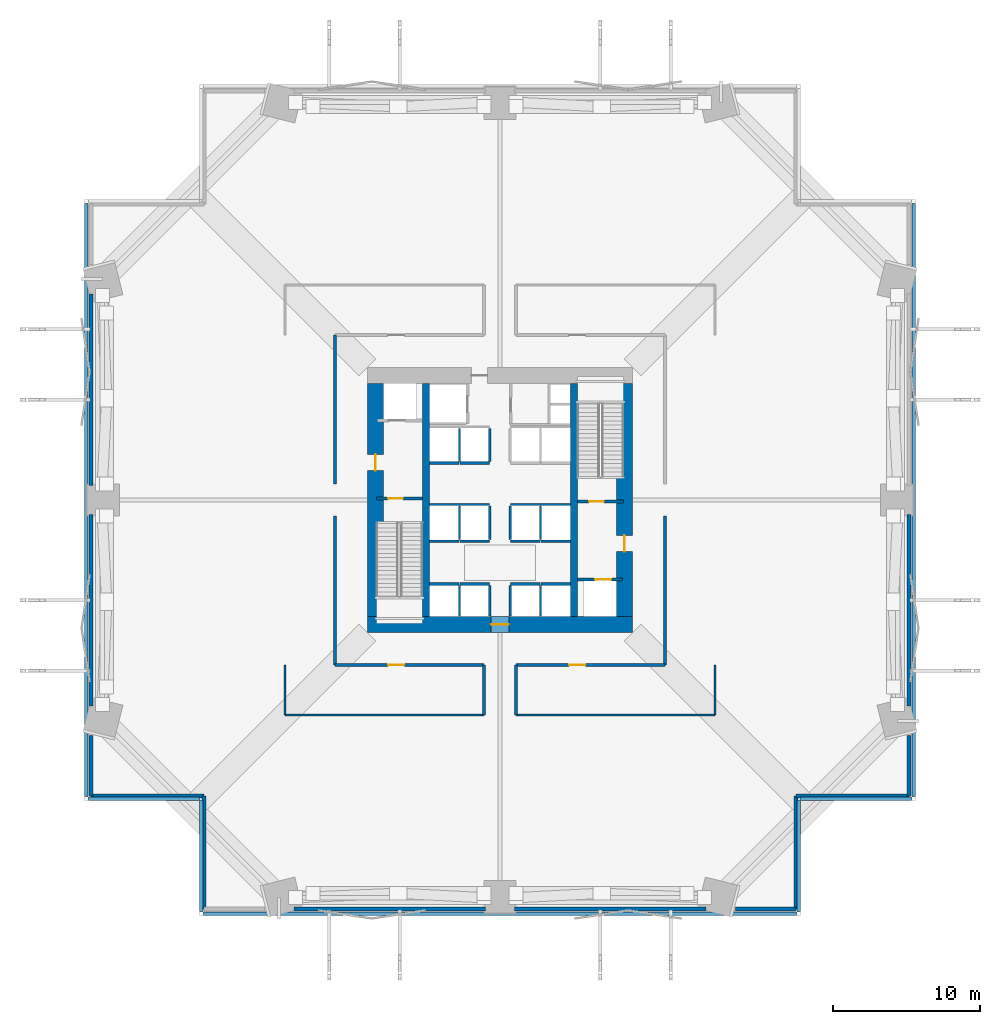
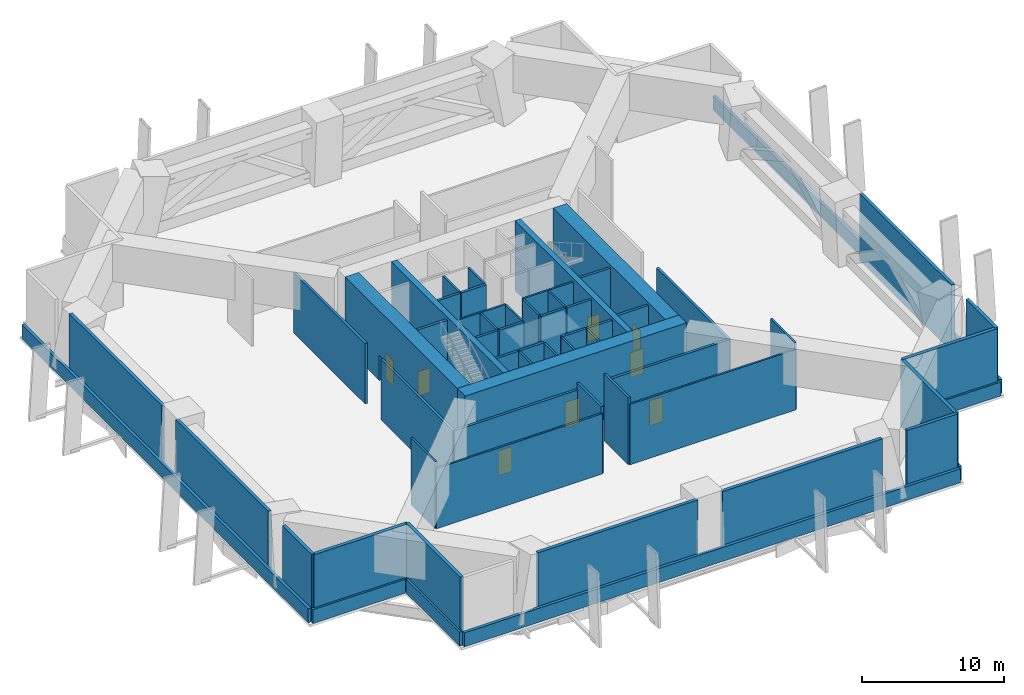
# One storey, part 3 of 6: 60 walls, 8 doors, 8 openings.
"""IFC4 building model written with IfcOpenShell, lengths in metres."""

import ifcopenshell
import ifcopenshell.guid

model = None  # the IFC model being written
_history = None  # IfcOwnerHistory: only IFC2X3 demands one
_inside = {}  # id of a spatial element -> (the spatial element, [elements in it])
_under = {}  # id of a project, library or spatial element -> (it, [spatial elements below it])
_declared = {}  # id of a project -> (the project, [libraries it declares])
_typed = {}  # id of a type object -> (the type object, [elements of that type])
_made_of = {}  # id of a material, layer set ... -> (it, [elements and type objects made of it])


def new_model(schema):
    """Start an empty IFC model of exactly this schema.

    Asked for "IFC4X3", IfcOpenShell would pick the latest addendum, in which some entities
    have other attributes; the version numbers below select the first issue.
    IFC2X3 requires an IfcOwnerHistory on every rooted entity: one is made here for all.
    """
    global model, _history
    if schema == "IFC4X3":
        model = ifcopenshell.file(schema_version=(4, 3, 0, 0))
    else:
        model = ifcopenshell.file(schema=schema)
    _inside.clear()
    _under.clear()
    _declared.clear()
    _typed.clear()
    _made_of.clear()
    _history = None
    if model.schema == "IFC2X3":
        org = make("IfcOrganization", Name="unknown")
        user = make(
            "IfcPersonAndOrganization",
            ThePerson=make("IfcPerson", FamilyName="unknown"),
            TheOrganization=org,
        )
        app = make(
            "IfcApplication",
            ApplicationDeveloper=org,
            Version="unknown",
            ApplicationFullName="unknown",
            ApplicationIdentifier="unknown",
        )
        _history = make(
            "IfcOwnerHistory",
            OwningUser=user,
            OwningApplication=app,
            ChangeAction="ADDED",
            CreationDate=0,
        )
    return model


def make(cls, **values):
    """One entity of the class cls with the attributes given. An attribute that is None is left unset."""
    return model.create_entity(
        cls, **{name: value for name, value in values.items() if value is not None}
    )


def rooted(cls, **values):
    """An entity with a GlobalId (a new one), such as an element, a storey or a relation."""
    return make(cls, GlobalId=ifcopenshell.guid.new(), OwnerHistory=_history, **values)


def si_unit(unit_type, name, prefix=None):
    """IfcSIUnit, for example si_unit("LENGTHUNIT", "METRE", prefix="MILLI")."""
    return make("IfcSIUnit", UnitType=unit_type, Prefix=prefix, Name=name)


def assignment(units):
    """IfcUnitAssignment: the units of a project."""
    return None if units is None else make("IfcUnitAssignment", Units=units)


def point(xyz):
    """IfcCartesianPoint."""
    return None if xyz is None else make("IfcCartesianPoint", Coordinates=xyz)


def direction(xyz):
    """IfcDirection."""
    return None if xyz is None else make("IfcDirection", DirectionRatios=xyz)


def frame(location, z_axis=None, x_axis=None):
    """IfcAxis2Placement3D, a coordinate frame: its origin and axes. An axis left out is left unset."""
    return make(
        "IfcAxis2Placement3D",
        Location=point(location),
        Axis=direction(z_axis),
        RefDirection=direction(x_axis),
    )


def frame_2d(location, x_axis=None):
    """IfcAxis2Placement2D, a coordinate frame in the plane: its origin and x axis."""
    return make(
        "IfcAxis2Placement2D", Location=point(location), RefDirection=direction(x_axis)
    )


def origin():
    """The frame at (0, 0, 0) with its axes left unset."""
    return frame((0.0, 0.0, 0.0))


def place(relative_to, where):
    """IfcLocalPlacement: puts the frame where relative to a parent placement (None: the world)."""
    return make(
        "IfcLocalPlacement", PlacementRelTo=relative_to, RelativePlacement=where
    )


def context(
    kind, dimensions, precision=None, world=None, true_north=None, identifier=None
):
    """IfcGeometricRepresentationContext, for example the 3D "Model" context."""
    return make(
        "IfcGeometricRepresentationContext",
        ContextIdentifier=identifier,
        ContextType=kind,
        CoordinateSpaceDimension=dimensions,
        Precision=precision,
        WorldCoordinateSystem=world,
        TrueNorth=true_north,
    )


def subcontext(parent, identifier, kind, view, scale=None):
    """IfcGeometricRepresentationSubContext, for example "Body" below "Model"."""
    return make(
        "IfcGeometricRepresentationSubContext",
        ContextIdentifier=identifier,
        ContextType=kind,
        ParentContext=parent,
        TargetScale=scale,
        TargetView=view,
    )


def project(units=None, contexts=None):
    """IfcProject with its units and contexts."""
    return rooted(
        "IfcProject",
        Name="project",
        RepresentationContexts=contexts,
        UnitsInContext=assignment(units),
    )


def spatial(cls, under=None, at=None, **own):
    """A site, building, storey or space (cls), placed at a placement, below another one or the project."""
    s = rooted(cls, ObjectPlacement=at, **own)
    if under is not None:
        _under.setdefault(under.id(), (under, []))[1].append(s)
    return s


def profile(cls, at=None, kind="AREA", **sizes):
    """A parametric profile (cls). Its sizes go by their IFC names, for example OverallWidth=200.0."""
    return make(cls, ProfileType=kind, Position=at, **sizes)


def rectangle(**sizes):
    """IfcRectangleProfileDef."""
    return profile("IfcRectangleProfileDef", **sizes)


def extrude(swept, where, along, depth):
    """IfcExtrudedAreaSolid: the profile swept, set in the frame where, extruded along a direction by depth."""
    return make(
        "IfcExtrudedAreaSolid",
        SweptArea=swept,
        Position=where,
        ExtrudedDirection=direction(along),
        Depth=depth,
    )


def shape(context_of_items, identifier, shape_type, items):
    """IfcShapeRepresentation: the items that make up one representation, for example the "Body"."""
    return make(
        "IfcShapeRepresentation",
        ContextOfItems=context_of_items,
        RepresentationIdentifier=identifier,
        RepresentationType=shape_type,
        Items=items,
    )


def material(Name=None, Category=None):
    """IfcMaterial."""
    return make("IfcMaterial", Name=Name, Category=Category)


def layer(
    of_material, thickness, ventilated=None, Name=None, Category=None, Priority=None
):
    """IfcMaterialLayer: one layer of a wall or slab, of a material (None: an air gap)."""
    return make(
        "IfcMaterialLayer",
        Material=of_material,
        LayerThickness=thickness,
        IsVentilated=ventilated,
        Name=Name,
        Category=Category,
        Priority=Priority,
    )


def layer_set(layers, Name=None):
    """IfcMaterialLayerSet."""
    return make("IfcMaterialLayerSet", MaterialLayers=layers, LayerSetName=Name)


def made_of(thing, what):
    """Note that an element or type object is made of a material, layer set ...; save() writes the relation."""
    if what is not None:
        _made_of.setdefault(what.id(), (what, []))[1].append(thing)
    return thing


def type_object(cls, material=None, **own):
    """A type object (cls), such as IfcWallType, which elements share."""
    return made_of(rooted(cls, **own), material)


def element(
    cls,
    number,
    at=None,
    inside=None,
    cuts=None,
    type_object=None,
    material=None,
    context=None,
    identifier="Body",
    shape_type=None,
    held_by="IfcProductDefinitionShape",
    body=None,
    shapes=None,
    **own,
):
    """One element of the class cls, such as IfcWall. Its Tag is "e" and its number.

    at: its placement. inside: the storey or other place that contains it. cuts: it is an
    opening in that element (IfcRelVoidsElement). A single representation is given by context,
    identifier, shape_type and body (its items); several are given by shapes. held_by: the class
    of the entity that holds the representations. save() writes the other relations.
    """
    e = rooted(cls, Tag="e%d" % number, ObjectPlacement=at, **own)
    if body is not None:
        shapes = [shape(context, identifier, shape_type, body)]
    if shapes is not None:
        e.Representation = make(held_by, Representations=shapes)
    if inside is not None:
        _inside.setdefault(inside.id(), (inside, []))[1].append(e)
    if cuts is not None:
        rooted(
            "IfcRelVoidsElement", RelatingBuildingElement=cuts, RelatedOpeningElement=e
        )
    if type_object is not None:
        _typed.setdefault(type_object.id(), (type_object, []))[1].append(e)
    return made_of(e, material)


def fill(opening, filler):
    """IfcRelFillsElement: the door or window that sits in an opening."""
    return rooted(
        "IfcRelFillsElement",
        RelatingOpeningElement=opening,
        RelatedBuildingElement=filler,
    )


def aggregate(whole, parts):
    """IfcRelAggregates: a whole, such as a stair, and the parts it consists of."""
    return rooted("IfcRelAggregates", RelatingObject=whole, RelatedObjects=parts)


def save(model, path):
    """Write the relations noted so far, then the file.

    IfcRelAggregates (storeys below a building ...), IfcRelContainedInSpatialStructure (elements
    in a storey), IfcRelDefinesByType, IfcRelAssociatesMaterial and IfcRelDeclares: one each for
    every whole, place, type object, material and project.
    """
    for whole, parts in _under.values():
        aggregate(whole, parts)
    for where, things in _inside.values():
        rooted(
            "IfcRelContainedInSpatialStructure",
            RelatedElements=things,
            RelatingStructure=where,
        )
    for kind, things in _typed.values():
        rooted("IfcRelDefinesByType", RelatedObjects=things, RelatingType=kind)
    for what, things in _made_of.values():
        rooted("IfcRelAssociatesMaterial", RelatedObjects=things, RelatingMaterial=what)
    for by, libraries in _declared.values():
        rooted("IfcRelDeclares", RelatingContext=by, RelatedDefinitions=libraries)
    model.write(path)


model = new_model("IFC4")

# Units and contexts
model_context = context("Model", 3, precision=1e-05, world=origin(), true_north=direction((0.0, 1.0)))
body_context = subcontext(model_context, "Body", "Model", "MODEL_VIEW")
ifc_project = project(units=[si_unit("LENGTHUNIT", "METRE"), si_unit("AREAUNIT", "SQUARE_METRE"), si_unit("VOLUMEUNIT", "CUBIC_METRE"), si_unit("PLANEANGLEUNIT", "RADIAN"), si_unit("MASSUNIT", "GRAM", prefix="KILO")], contexts=[model_context])

# Site, building, storey
site_placement = place(None, origin())
site = spatial("IfcSite", under=ifc_project, at=site_placement, CompositionType="ELEMENT")
building_placement = place(site_placement, origin())
building = spatial("IfcBuilding", under=site, at=building_placement, Name="Belovzor Exchange Tower", CompositionType="ELEMENT")
storey_placement = place(building_placement, frame((0.0, 0.0, 24.0)))
storey = spatial("IfcBuildingStorey", under=building, at=storey_placement, Name="L05", CompositionType="ELEMENT", Elevation=24.0)

# Walls
ifc_material_1 = material(Name="Fire-Rated Gypsum Block and Mineral Wool", Category="gypsum")
ifc_layer_1 = layer(ifc_material_1, 0.14990234375)
ifc_layer_set_1 = layer_set([ifc_layer_1], Name="Fire-Rated Gypsum Block and Mineral Wool")
wall_type_1 = type_object("IfcWallType", Name="Fire-Rated Gypsum Block Corridor Wall 150", PredefinedType="PARTITIONING", material=ifc_layer_set_1)
wall_1_placement = place(storey_placement, frame((14.199951171875, 14.199951171875, 0.0), z_axis=(0.0, 0.0, 1.0), x_axis=(0.0, 1.0, 0.0)))
element("IfcWall", 1, at=wall_1_placement, inside=storey, type_object=wall_type_1, Name="W-P150 Partition Wall W-L05-Q1W", PredefinedType="PARTITIONING", context=body_context, shape_type="SweptSolid", body=[
    extrude(rectangle(XDim=3.400146484375, YDim=0.14990234375, at=frame_2d((1.7001953125, 0.0))), origin(), (0.0, 0.0, 1.0), 5.75),
])
for number, where, z_axis, x_axis, name in (
    (2, (14.199951171875, 14.199951171875, 0.0), (0.0, 0.0, 1.0), (1.0, 0.0, 0.0), "W-P150 Partition Wall W-L05-Q1S"),
    (3, (29.89990234375, 14.199951171875, 0.0), (0.0, 0.0, 1.0), (1.0, 0.0, 0.0), "W-P150 Partition Wall W-L05-Q2S"),
):
    element("IfcWall", number, at=place(storey_placement, frame(where, z_axis=z_axis, x_axis=x_axis)), inside=storey, type_object=wall_type_1, Name=name, PredefinedType="PARTITIONING", context=body_context, shape_type="SweptSolid", body=[
        extrude(rectangle(XDim=13.5, YDim=0.14990234375, at=frame_2d((6.75, 0.0))), origin(), (0.0, 0.0, 1.0), 5.18505859375),
    ])
wall_2_placement = place(storey_placement, frame((43.39990234375, 14.199951171875, 0.0), z_axis=(0.0, 0.0, 1.0), x_axis=(0.0, 1.0, 0.0)))
element("IfcWall", 4, at=wall_2_placement, inside=storey, type_object=wall_type_1, Name="W-P150 Partition Wall W-L05-Q2E", PredefinedType="PARTITIONING", context=body_context, shape_type="SweptSolid", body=[
    extrude(rectangle(XDim=3.400146484375, YDim=0.14990234375, at=frame_2d((1.7001953125, 0.0))), origin(), (0.0, 0.0, 1.0), 5.75),
])
ifc_material_2 = material(Name="Precast concrete C40/50", Category="concrete")
ifc_layer_2 = layer(ifc_material_2, 0.280029296875)
ifc_layer_set_2 = layer_set([ifc_layer_2], Name="Precast concrete C40/50")
wall_type_2 = type_object("IfcWallType", Name="Precast Concrete Notched Corner Frame Wall 280", PredefinedType="SOLIDWALL", material=ifc_layer_set_2)
for number, where, z_axis, x_axis, name in (
    (5, (8.699951171875, 1.030029296875, 0.0), (0.0, 0.0, 1.0), (0.0, 1.0, 0.0), "W-CRN280 Precast Concrete Notched Corner Frame Wall 280 L05"),
    (6, (8.699951171875, 8.699951171875, 0.0), (0.0, 0.0, 1.0), (-1.0, 0.0, 0.0), "W-CRN280 Precast Concrete Notched Corner Frame Wall 280 L05"),
):
    element("IfcWall", number, at=place(storey_placement, frame(where, z_axis=z_axis, x_axis=x_axis)), inside=storey, type_object=wall_type_2, Name=name, PredefinedType="SOLIDWALL", context=body_context, shape_type="SweptSolid", body=[
        extrude(rectangle(XDim=7.669921875, YDim=0.280029296875, at=frame_2d((3.8349609375, 0.0))), origin(), (0.0, 0.0, 1.0), 5.75),
    ])
wall_3_placement = place(storey_placement, frame((56.570068359375, 8.699951171875, 0.0), z_axis=(0.0, 0.0, 1.0), x_axis=(-1.0, 0.0, 0.0)))
element("IfcWall", 7, at=wall_3_placement, inside=storey, type_object=wall_type_2, Name="W-CRN280 Precast Concrete Notched Corner Frame Wall 280 L05", PredefinedType="SOLIDWALL", context=body_context, shape_type="SweptSolid", body=[
    extrude(rectangle(XDim=7.670166015625, YDim=0.280029296875, at=frame_2d((3.8349609375, 0.0))), origin(), (0.0, 0.0, 1.0), 5.75),
])
wall_4_placement = place(storey_placement, frame((48.89990234375, 8.699951171875, 0.0), z_axis=(0.0, 0.0, 1.0), x_axis=(0.0, -1.0, 0.0)))
element("IfcWall", 8, at=wall_4_placement, inside=storey, type_object=wall_type_2, Name="W-CRN280 Precast Concrete Notched Corner Frame Wall 280 L05", PredefinedType="SOLIDWALL", context=body_context, shape_type="SweptSolid", body=[
    extrude(rectangle(XDim=7.669921875, YDim=0.280029296875, at=frame_2d((3.8349609375, 0.0))), origin(), (0.0, 0.0, 1.0), 5.75),
])
ifc_material_3 = material(Name="Precast concrete C40/50", Category="concrete")
ifc_layer_3 = layer(ifc_material_3, 0.260009765625)
ifc_layer_set_3 = layer_set([ifc_layer_3], Name="Precast concrete C40/50")
wall_type_3 = type_object("IfcWallType", Name="Precast Concrete Perimeter Loggia Frame Wall 260", PredefinedType="SOLIDWALL", material=ifc_layer_set_3)
for number, where, z_axis, x_axis, name in (
    (9, (27.800048828125, 1.030029296875, 0.0), (0.0, 0.0, 1.0), (-1.0, 0.0, 0.0), "W-EXT260 Precast Concrete Perimeter Loggia Frame Wall 260 L05"),
    (10, (42.800048828125, 1.030029296875, 0.0), (0.0, 0.0, 1.0), (-1.0, 0.0, 0.0), "W-EXT260 Precast Concrete Perimeter Loggia Frame Wall 260 L05"),
):
    element("IfcWall", number, at=place(storey_placement, frame(where, z_axis=z_axis, x_axis=x_axis)), inside=storey, type_object=wall_type_3, Name=name, PredefinedType="SOLIDWALL", context=body_context, shape_type="SweptSolid", body=[
        extrude(rectangle(XDim=13.0, YDim=0.260009765625, at=frame_2d((6.5, 0.0))), origin(), (0.0, 0.0, 1.0), 5.75),
    ])
wall_5_placement = place(storey_placement, frame((48.89990234375, 1.030029296875, 0.0), z_axis=(0.0, 0.0, 1.0), x_axis=(-1.0, 0.0, 0.0)))
element("IfcWall", 11, at=wall_5_placement, inside=storey, type_object=wall_type_3, Name="W-EXT260 Precast Concrete Perimeter Loggia Frame Wall 260 L05", PredefinedType="SOLIDWALL", context=body_context, shape_type="SweptSolid", body=[
    extrude(rectangle(XDim=4.099853515625, YDim=0.260009765625, at=frame_2d((2.0498046875, 0.0))), origin(), (0.0, 0.0, 1.0), 5.75),
])
wall_6_placement = place(storey_placement, frame((1.030029296875, 8.699951171875, 0.0), z_axis=(0.0, 0.0, 1.0), x_axis=(0.0, 1.0, 0.0)))
element("IfcWall", 12, at=wall_6_placement, inside=storey, type_object=wall_type_3, Name="W-EXT260 Precast Concrete Perimeter Loggia Frame Wall 260 L05", PredefinedType="SOLIDWALL", context=body_context, shape_type="SweptSolid", body=[
    extrude(rectangle(XDim=4.10009765625, YDim=0.260009765625, at=frame_2d((2.050048828125, 0.0))), origin(), (0.0, 0.0, 1.0), 5.75),
])
for number, where, z_axis, x_axis, name in (
    (13, (1.030029296875, 14.800048828125, 0.0), (0.0, 0.0, 1.0), (0.0, 1.0, 0.0), "W-EXT260 Precast Concrete Perimeter Loggia Frame Wall 260 L05"),
    (14, (1.030029296875, 29.800048828125, 0.0), (0.0, 0.0, 1.0), (0.0, 1.0, 0.0), "W-EXT260 Precast Concrete Perimeter Loggia Frame Wall 260 L05"),
):
    element("IfcWall", number, at=place(storey_placement, frame(where, z_axis=z_axis, x_axis=x_axis)), inside=storey, type_object=wall_type_3, Name=name, PredefinedType="SOLIDWALL", context=body_context, shape_type="SweptSolid", body=[
        extrude(rectangle(XDim=13.0, YDim=0.260009765625, at=frame_2d((6.5, 0.0))), origin(), (0.0, 0.0, 1.0), 5.75),
    ])
wall_7_placement = place(storey_placement, frame((56.570068359375, 12.800048828125, 0.0), z_axis=(0.0, 0.0, 1.0), x_axis=(0.0, -1.0, 0.0)))
element("IfcWall", 15, at=wall_7_placement, inside=storey, type_object=wall_type_3, Name="W-EXT260 Precast Concrete Perimeter Loggia Frame Wall 260 L05", PredefinedType="SOLIDWALL", context=body_context, shape_type="SweptSolid", body=[
    extrude(rectangle(XDim=4.10009765625, YDim=0.260009765625, at=frame_2d((2.050048828125, 0.0))), origin(), (0.0, 0.0, 1.0), 5.75),
])
wall_8_placement = place(storey_placement, frame((56.570068359375, 27.800048828125, 0.0), z_axis=(0.0, 0.0, 1.0), x_axis=(0.0, -1.0, 0.0)))
element("IfcWall", 16, at=wall_8_placement, inside=storey, type_object=wall_type_3, Name="W-EXT260 Precast Concrete Perimeter Loggia Frame Wall 260 L05", PredefinedType="SOLIDWALL", context=body_context, shape_type="SweptSolid", body=[
    extrude(rectangle(XDim=13.0, YDim=0.260009765625, at=frame_2d((6.5, 0.0))), origin(), (0.0, 0.0, 1.0), 5.75),
])
ifc_material_4 = material(Name="Precast concrete C40/50", Category="concrete")
ifc_layer_4 = layer(ifc_material_4, 0.239990234375)
ifc_layer_set_4 = layer_set([ifc_layer_4], Name="Precast concrete C40/50")
wall_type_4 = type_object("IfcWallType", Name="Precast Stone Setback Roof Parapet Wall 240", PredefinedType="PARAPET", material=ifc_layer_set_4)
wall_9_placement = place(storey_placement, frame((8.655029296875, 0.719970703125, 0.0), z_axis=(0.0, 0.0, 1.0), x_axis=(1.0, 0.0, 0.0)))
element("IfcWall", 17, at=wall_9_placement, inside=storey, type_object=wall_type_4, Name="W-PAR240 Precast Stone Setback Roof Parapet Wall 240 L05", PredefinedType="PARAPET", context=body_context, shape_type="SweptSolid", body=[
    extrude(rectangle(XDim=40.2900390625, YDim=0.239990234375, at=frame_2d((20.14501953125, 0.0))), origin(), (0.0, 0.0, 1.0), 1.199951171875),
])
for number, where, z_axis, x_axis, name in (
    (18, (49.080078125, 0.85498046875, 0.0), (0.0, 0.0, 1.0), (0.0, 1.0, 0.0), "W-PAR240 Precast Stone Setback Roof Parapet Wall 240 L05"),
    (19, (49.215087890625, 8.52001953125, 0.0), (0.0, 0.0, 1.0), (1.0, 0.0, 0.0), "W-PAR240 Precast Stone Setback Roof Parapet Wall 240 L05"),
):
    element("IfcWall", number, at=place(storey_placement, frame(where, z_axis=z_axis, x_axis=x_axis)), inside=storey, type_object=wall_type_4, Name=name, PredefinedType="PARAPET", context=body_context, shape_type="SweptSolid", body=[
        extrude(rectangle(XDim=7.530029296875, YDim=0.239990234375, at=frame_2d((3.76513671875, 0.0))), origin(), (0.0, 0.0, 1.0), 1.199951171875),
    ])
for number, where, z_axis, x_axis, name in (
    (20, (56.8798828125, 8.655029296875, 0.0), (0.0, 0.0, 1.0), (0.0, 1.0, 0.0), "W-PAR240 Precast Stone Setback Roof Parapet Wall 240 L05"),
    (21, (0.719970703125, 48.945068359375, 0.0), (0.0, 0.0, 1.0), (0.0, -1.0, 0.0), "W-PAR240 Precast Stone Setback Roof Parapet Wall 240 L05"),
):
    element("IfcWall", number, at=place(storey_placement, frame(where, z_axis=z_axis, x_axis=x_axis)), inside=storey, type_object=wall_type_4, Name=name, PredefinedType="PARAPET", context=body_context, shape_type="SweptSolid", body=[
        extrude(rectangle(XDim=40.2900390625, YDim=0.239990234375, at=frame_2d((20.14501953125, 0.0))), origin(), (0.0, 0.0, 1.0), 1.199951171875),
    ])
for number, where, z_axis, x_axis, name in (
    (22, (0.85498046875, 8.52001953125, 0.0), (0.0, 0.0, 1.0), (1.0, 0.0, 0.0), "W-PAR240 Precast Stone Setback Roof Parapet Wall 240 L05"),
    (23, (8.52001953125, 8.385009765625, 0.0), (0.0, 0.0, 1.0), (0.0, -1.0, 0.0), "W-PAR240 Precast Stone Setback Roof Parapet Wall 240 L05"),
):
    element("IfcWall", number, at=place(storey_placement, frame(where, z_axis=z_axis, x_axis=x_axis)), inside=storey, type_object=wall_type_4, Name=name, PredefinedType="PARAPET", context=body_context, shape_type="SweptSolid", body=[
        extrude(rectangle(XDim=7.530029296875, YDim=0.239990234375, at=frame_2d((3.76513671875, 0.0))), origin(), (0.0, 0.0, 1.0), 1.199951171875),
    ])

# Wall, opening, door
ifc_material_5 = material(Name="Concrete C40/50", Category="concrete")
ifc_layer_5 = layer(ifc_material_5, 0.199951171875)
ifc_layer_set_5 = layer_set([ifc_layer_5], Name="Concrete C40/50")
wall_type_5 = type_object("IfcWallType", Name="Reinforced Concrete Compartment Wall 200", PredefinedType="PARTITIONING", material=ifc_layer_set_5)
wall_10_placement = place(storey_placement, frame((17.60009765625, 17.60009765625, 0.0), z_axis=(0.0, 0.0, 1.0), x_axis=(1.0, 0.0, 0.0)))
wall_10 = element("IfcWall", 24, at=wall_10_placement, inside=storey, type_object=wall_type_5, Name="W-C200 Partition Wall W-L05-PCS", PredefinedType="PARTITIONING", context=body_context, shape_type="SweptSolid", body=[
    extrude(rectangle(XDim=10.099853515625, YDim=0.199951171875, at=frame_2d((5.0498046875, 0.0))), origin(), (0.0, 0.0, 1.0), 5.18505859375),
])
opening_1_placement = place(wall_10_placement, frame((3.60009765625, 0.0, 0.0)))
opening_1 = element("IfcOpeningElement", 25, at=opening_1_placement, cuts=wall_10, Name="Opening D-FD90-110", PredefinedType="OPENING", context=body_context, shape_type="SweptSolid", body=[
    extrude(rectangle(XDim=1.10009765625, YDim=2.14990234375, at=frame_2d((0.550048828125, 1.074951171875))), frame((0.0, 0.10986328125, 0.0), z_axis=(0.0, -1.0, 0.0), x_axis=(1.0, 0.0, 0.0)), (0.0, 0.0, 1.0), 0.219970703125),
])
ifc_material_6 = material(Name="Fire-Rated Galvanised Steel Leaf", Category="steel")
door_type_1 = type_object("IfcDoorType", Name="Protected Escape Vestibule Fire Door 1100x2150", OperationType="NOTDEFINED", PredefinedType="DOOR", material=ifc_material_6)
door_1_placement = place(opening_1_placement, origin())
door_1 = element("IfcDoor", 26, at=door_1_placement, inside=storey, type_object=door_type_1, Name="D-FD90-110 Protected Escape Vestibule Fire Door 1100x2150", OperationType="SINGLE_SWING_LEFT", OverallHeight=2.14990234375, OverallWidth=1.10009765625, PredefinedType="DOOR", context=body_context, shape_type="SweptSolid", body=[
    extrude(rectangle(XDim=1.10009765625, YDim=2.14990234375, at=frame_2d((0.550048828125, 1.074951171875))), frame((0.0, 0.02490234375, 0.0), z_axis=(0.0, -1.0, 0.0), x_axis=(1.0, 0.0, 0.0)), (0.0, 0.0, 1.0), 0.050048828125),
])
fill(opening_1, door_1)

wall_11_placement = place(storey_placement, frame((29.89990234375, 17.60009765625, 0.0), z_axis=(0.0, 0.0, 1.0), x_axis=(1.0, 0.0, 0.0)))
wall_11 = element("IfcWall", 27, at=wall_11_placement, inside=storey, type_object=wall_type_5, Name="W-C200 Partition Wall W-L05-PCS2", PredefinedType="PARTITIONING", context=body_context, shape_type="SweptSolid", body=[
    extrude(rectangle(XDim=10.10009765625, YDim=0.199951171875, at=frame_2d((5.050048828125, 0.0))), origin(), (0.0, 0.0, 1.0), 5.18505859375),
])
opening_2_placement = place(wall_11_placement, frame((3.60009765625, 0.0, 0.0)))
opening_2 = element("IfcOpeningElement", 28, at=opening_2_placement, cuts=wall_11, Name="Opening D-FD90-110", PredefinedType="OPENING", context=body_context, shape_type="SweptSolid", body=[
    extrude(rectangle(XDim=1.10009765625, YDim=2.14990234375, at=frame_2d((0.550048828125, 1.074951171875))), frame((0.0, 0.10986328125, 0.0), z_axis=(0.0, -1.0, 0.0), x_axis=(1.0, 0.0, 0.0)), (0.0, 0.0, 1.0), 0.219970703125),
])
door_2_placement = place(opening_2_placement, origin())
door_2 = element("IfcDoor", 29, at=door_2_placement, inside=storey, type_object=door_type_1, Name="D-FD90-110 Protected Escape Vestibule Fire Door 1100x2150", OperationType="SINGLE_SWING_RIGHT", OverallHeight=2.14990234375, OverallWidth=1.10009765625, PredefinedType="DOOR", context=body_context, shape_type="SweptSolid", body=[
    extrude(rectangle(XDim=1.10009765625, YDim=2.14990234375, at=frame_2d((0.550048828125, 1.074951171875))), frame((0.0, 0.02490234375, 0.0), z_axis=(0.0, -1.0, 0.0), x_axis=(1.0, 0.0, 0.0)), (0.0, 0.0, 1.0), 0.050048828125),
])
fill(opening_2, door_2)

# Walls
wall_12_placement = place(storey_placement, frame((17.60009765625, 17.60009765625, 0.0), z_axis=(0.0, 0.0, 1.0), x_axis=(0.0, 1.0, 0.0)))
element("IfcWall", 30, at=wall_12_placement, inside=storey, type_object=wall_type_5, Name="W-C200 Partition Wall W-L05-PCW1", PredefinedType="PARTITIONING", context=body_context, shape_type="SweptSolid", body=[
    extrude(rectangle(XDim=10.099853515625, YDim=0.199951171875, at=frame_2d((5.0498046875, 0.0))), origin(), (0.0, 0.0, 1.0), 5.18505859375),
])
wall_13_placement = place(storey_placement, frame((17.60009765625, 29.89990234375, 0.0), z_axis=(0.0, 0.0, 1.0), x_axis=(0.0, 1.0, 0.0)))
element("IfcWall", 31, at=wall_13_placement, inside=storey, type_object=wall_type_5, Name="W-C200 Partition Wall W-L05-PCW2", PredefinedType="PARTITIONING", context=body_context, shape_type="SweptSolid", body=[
    extrude(rectangle(XDim=10.10009765625, YDim=0.199951171875, at=frame_2d((5.050048828125, 0.0))), origin(), (0.0, 0.0, 1.0), 5.18505859375),
])
wall_14_placement = place(storey_placement, frame((40.0, 17.60009765625, 0.0), z_axis=(0.0, 0.0, 1.0), x_axis=(0.0, 1.0, 0.0)))
element("IfcWall", 32, at=wall_14_placement, inside=storey, type_object=wall_type_5, Name="W-C200 Partition Wall W-L05-PCE1", PredefinedType="PARTITIONING", context=body_context, shape_type="SweptSolid", body=[
    extrude(rectangle(XDim=10.099853515625, YDim=0.199951171875, at=frame_2d((5.0498046875, 0.0))), origin(), (0.0, 0.0, 1.0), 5.18505859375),
])
for number, where, z_axis, x_axis, name in (
    (33, (27.699951171875, 14.199951171875, 0.0), (0.0, 0.0, 1.0), (0.0, 1.0, 0.0), "W-C200 Partition Wall W-L05-Q1E"),
    (34, (29.89990234375, 14.199951171875, 0.0), (0.0, 0.0, 1.0), (0.0, 1.0, 0.0), "W-C200 Partition Wall W-L05-Q2W"),
):
    element("IfcWall", number, at=place(storey_placement, frame(where, z_axis=z_axis, x_axis=x_axis)), inside=storey, type_object=wall_type_5, Name=name, PredefinedType="PARTITIONING", context=body_context, shape_type="SweptSolid", body=[
        extrude(rectangle(XDim=3.400146484375, YDim=0.199951171875, at=frame_2d((1.7001953125, 0.0))), origin(), (0.0, 0.0, 1.0), 5.75),
    ])
ifc_material_7 = material(Name="Concrete C50/60", Category="concrete")
ifc_layer_6 = layer(ifc_material_7, 0.449951171875)
ifc_layer_set_6 = layer_set([ifc_layer_6], Name="Concrete C50/60")
wall_type_6 = type_object("IfcWallType", Name="Reinforced Concrete Core Internal Web Wall 450", PredefinedType="SHEAR", material=ifc_layer_set_6)
for number, where, z_axis, x_axis, name in (
    (35, (23.77490234375, 20.89990234375, 0.0), (0.0, 0.0, 1.0), (0.0, 1.0, 0.0), "CW-W045 Core Internal Web Wall L05 WL"),
    (36, (33.824951171875, 20.89990234375, 0.0), (0.0, 0.0, 1.0), (0.0, 1.0, 0.0), "CW-W045 Core Internal Web Wall L05 ER"),
):
    element("IfcWall", number, at=place(storey_placement, frame(where, z_axis=z_axis, x_axis=x_axis)), inside=storey, type_object=wall_type_6, Name=name, PredefinedType="SHEAR", context=body_context, shape_type="SweptSolid", body=[
        extrude(rectangle(XDim=15.800048828125, YDim=0.449951171875, at=frame_2d((7.89990234375, 0.0))), origin(), (0.0, 0.0, 1.0), 6.0),
    ])
ifc_material_8 = material(Name="Concrete C50/60", Category="concrete")
ifc_layer_7 = layer(ifc_material_8, 0.14990234375)
ifc_layer_set_7 = layer_set([ifc_layer_7], Name="Concrete C50/60")
wall_type_7 = type_object("IfcWallType", Name="Reinforced Concrete Core Riser Shear Wall 150", PredefinedType="SHEAR", material=ifc_layer_set_7)
for number, where, z_axis, x_axis, name in (
    (37, (26.050048828125, 20.919921875, 0.0), (0.0, 0.0, 1.0), (0.0, 1.0, 0.0), "W-C150S Core Shaft Wall W-SHD-L05-PLL-1"),
    (38, (28.10009765625, 20.919921875, 0.0), (0.0, 0.0, 1.0), (0.0, 1.0, 0.0), "W-C150S Core Shaft Wall W-SHD-L05-PLL-2"),
    (39, (29.5, 20.919921875, 0.0), (0.0, 0.0, 1.0), (0.0, 1.0, 0.0), "W-C150S Core Shaft Wall W-SHD-L05-PLL-3"),
    (40, (31.550048828125, 20.919921875, 0.0), (0.0, 0.0, 1.0), (0.0, 1.0, 0.0), "W-C150S Core Shaft Wall W-SHD-L05-PLL-4"),
):
    element("IfcWall", number, at=place(storey_placement, frame(where, z_axis=z_axis, x_axis=x_axis)), inside=storey, type_object=wall_type_7, Name=name, PredefinedType="SHEAR", context=body_context, shape_type="SweptSolid", body=[
        extrude(rectangle(XDim=2.06005859375, YDim=0.14990234375, at=frame_2d((1.030029296875, 0.0))), origin(), (0.0, 0.0, 1.0), 5.75),
    ])
for number, where, z_axis, x_axis, name in (
    (41, (24.02001953125, 28.5, 0.0), (0.0, 0.0, 1.0), (1.0, 0.0, 0.0), "W-C150S Core Shaft Wall W-SHB-L05-PLM-NW"),
    (42, (29.5, 28.5, 0.0), (0.0, 0.0, 1.0), (1.0, 0.0, 0.0), "W-C150S Core Shaft Wall W-SHB-L05-PLM-NE"),
):
    element("IfcWall", number, at=place(storey_placement, frame(where, z_axis=z_axis, x_axis=x_axis)), inside=storey, type_object=wall_type_7, Name=name, PredefinedType="SHEAR", context=body_context, shape_type="SweptSolid", body=[
        extrude(rectangle(XDim=4.080078125, YDim=0.14990234375, at=frame_2d((2.0400390625, 0.0))), origin(), (0.0, 0.0, 1.0), 5.75),
    ])
for number, where, z_axis, x_axis, name in (
    (43, (26.050048828125, 26.1201171875, 0.0), (0.0, 0.0, 1.0), (0.0, 1.0, 0.0), "W-C150S Core Shaft Wall W-SHD-L05-PLM-1"),
    (44, (28.10009765625, 26.1201171875, 0.0), (0.0, 0.0, 1.0), (0.0, 1.0, 0.0), "W-C150S Core Shaft Wall W-SHD-L05-PLM-2"),
    (45, (29.5, 26.1201171875, 0.0), (0.0, 0.0, 1.0), (0.0, 1.0, 0.0), "W-C150S Core Shaft Wall W-SHD-L05-PLM-3"),
    (46, (31.550048828125, 26.1201171875, 0.0), (0.0, 0.0, 1.0), (0.0, 1.0, 0.0), "W-C150S Core Shaft Wall W-SHD-L05-PLM-4"),
):
    element("IfcWall", number, at=place(storey_placement, frame(where, z_axis=z_axis, x_axis=x_axis)), inside=storey, type_object=wall_type_7, Name=name, PredefinedType="SHEAR", context=body_context, shape_type="SweptSolid", body=[
        extrude(rectangle(XDim=2.27978515625, YDim=0.14990234375, at=frame_2d((1.139892578125, 0.0))), origin(), (0.0, 0.0, 1.0), 5.75),
    ])
for number, where, z_axis, x_axis, name in (
    (47, (26.050048828125, 31.419921875, 0.0), (0.0, 0.0, 1.0), (0.0, 1.0, 0.0), "W-C150S Core Shaft Wall W-SHD-L05-PLH-1"),
    (48, (28.10009765625, 31.419921875, 0.0), (0.0, 0.0, 1.0), (0.0, 1.0, 0.0), "W-C150S Core Shaft Wall W-SHD-L05-PLH-2"),
):
    element("IfcWall", number, at=place(storey_placement, frame(where, z_axis=z_axis, x_axis=x_axis)), inside=storey, type_object=wall_type_7, Name=name, PredefinedType="SHEAR", context=body_context, shape_type="SweptSolid", body=[
        extrude(rectangle(XDim=2.239990234375, YDim=0.14990234375, at=frame_2d((1.1201171875, 0.0))), origin(), (0.0, 0.0, 1.0), 5.75),
    ])

# Wall, opening, door
ifc_material_9 = material(Name="Concrete C50/60", Category="concrete")
ifc_layer_8 = layer(ifc_material_9, 0.199951171875)
ifc_layer_set_8 = layer_set([ifc_layer_8], Name="Concrete C50/60")
wall_type_8 = type_object("IfcWallType", Name="Reinforced Concrete Core Shaft Shear Wall 200", PredefinedType="SHEAR", material=ifc_layer_set_8)
wall_15_placement = place(storey_placement, frame((20.39990234375, 28.89990234375, 0.0), z_axis=(0.0, 0.0, 1.0), x_axis=(1.0, 0.0, 0.0)))
wall_15 = element("IfcWall", 49, at=wall_15_placement, inside=storey, type_object=wall_type_8, Name="W-C200S Core Shaft Wall W-CORE-L05-FFLW1", PredefinedType="SHEAR", context=body_context, shape_type="SweptSolid", body=[
    extrude(rectangle(XDim=3.150146484375, YDim=0.199951171875, at=frame_2d((1.5751953125, 0.0))), origin(), (0.0, 0.0, 1.0), 5.75),
])
opening_3_placement = place(wall_15_placement, frame((0.800048828125, 0.0, 0.0)))
opening_3 = element("IfcOpeningElement", 50, at=opening_3_placement, cuts=wall_15, Name="Opening D-FD90-100", PredefinedType="OPENING", context=body_context, shape_type="SweptSolid", body=[
    extrude(rectangle(XDim=1.0, YDim=2.10009765625, at=frame_2d((0.5, 1.050048828125))), frame((0.0, 0.10986328125, 0.0), z_axis=(0.0, -1.0, 0.0), x_axis=(1.0, 0.0, 0.0)), (0.0, 0.0, 1.0), 0.219970703125),
])
ifc_material_10 = material(Name="Fire-Rated Galvanised Steel Leaf", Category="steel")
door_type_2 = type_object("IfcDoorType", Name="Protected Stairwell Single Fire Door 1000x2100", OperationType="NOTDEFINED", PredefinedType="DOOR", material=ifc_material_10)
door_3_placement = place(opening_3_placement, origin())
door_3 = element("IfcDoor", 51, at=door_3_placement, inside=storey, type_object=door_type_2, Name="D-FD90-100 Protected Stairwell Single Fire Door 1000x2100", OperationType="SINGLE_SWING_RIGHT", OverallHeight=2.10009765625, OverallWidth=1.0, PredefinedType="DOOR", context=body_context, shape_type="SweptSolid", body=[
    extrude(rectangle(XDim=1.0, YDim=2.10009765625, at=frame_2d((0.5, 1.050048828125))), frame((0.0, 0.02490234375, 0.0), z_axis=(0.0, -1.0, 0.0), x_axis=(1.0, 0.0, 0.0)), (0.0, 0.0, 1.0), 0.050048828125),
])
fill(opening_3, door_3)

wall_16_placement = place(storey_placement, frame((34.050048828125, 28.699951171875, 0.0), z_axis=(0.0, 0.0, 1.0), x_axis=(1.0, 0.0, 0.0)))
wall_16 = element("IfcWall", 52, at=wall_16_placement, inside=storey, type_object=wall_type_8, Name="W-C200S Core Shaft Wall W-CORE-L05-FFLE2", PredefinedType="SHEAR", context=body_context, shape_type="SweptSolid", body=[
    extrude(rectangle(XDim=3.14990234375, YDim=0.199951171875, at=frame_2d((1.574951171875, 0.0))), origin(), (0.0, 0.0, 1.0), 5.75),
])
opening_4_placement = place(wall_16_placement, frame((0.800048828125, 0.0, 0.0)))
opening_4 = element("IfcOpeningElement", 53, at=opening_4_placement, cuts=wall_16, Name="Opening D-FD90-100", PredefinedType="OPENING", context=body_context, shape_type="SweptSolid", body=[
    extrude(rectangle(XDim=1.0, YDim=2.10009765625, at=frame_2d((0.5, 1.050048828125))), frame((0.0, 0.10986328125, 0.0), z_axis=(0.0, -1.0, 0.0), x_axis=(1.0, 0.0, 0.0)), (0.0, 0.0, 1.0), 0.219970703125),
])
door_4_placement = place(opening_4_placement, origin())
door_4 = element("IfcDoor", 54, at=door_4_placement, inside=storey, type_object=door_type_2, Name="D-FD90-100 Protected Stairwell Single Fire Door 1000x2100", OperationType="SINGLE_SWING_LEFT", OverallHeight=2.10009765625, OverallWidth=1.0, PredefinedType="DOOR", context=body_context, shape_type="SweptSolid", body=[
    extrude(rectangle(XDim=1.0, YDim=2.10009765625, at=frame_2d((0.5, 1.050048828125))), frame((0.0, 0.02490234375, 0.0), z_axis=(0.0, -1.0, 0.0), x_axis=(1.0, 0.0, 0.0)), (0.0, 0.0, 1.0), 0.050048828125),
])
fill(opening_4, door_4)

wall_17_placement = place(storey_placement, frame((34.050048828125, 23.39990234375, 0.0), z_axis=(0.0, 0.0, 1.0), x_axis=(1.0, 0.0, 0.0)))
wall_17 = element("IfcWall", 55, at=wall_17_placement, inside=storey, type_object=wall_type_8, Name="W-C200S Core Shaft Wall W-SH-L05-FFL-02", PredefinedType="SHEAR", context=body_context, shape_type="SweptSolid", body=[
    extrude(rectangle(XDim=3.050048828125, YDim=0.199951171875, at=frame_2d((1.52490234375, 0.0))), origin(), (0.0, 0.0, 1.0), 5.75),
])
opening_5_placement = place(wall_17_placement, frame((1.199951171875, 0.0, 0.0)))
opening_5 = element("IfcOpeningElement", 56, at=opening_5_placement, cuts=wall_17, Name="Opening LD-110", PredefinedType="OPENING", context=body_context, shape_type="SweptSolid", body=[
    extrude(rectangle(XDim=1.10009765625, YDim=2.14990234375, at=frame_2d((0.550048828125, 1.074951171875))), frame((0.0, 0.10986328125, 0.0), z_axis=(0.0, -1.0, 0.0), x_axis=(1.0, 0.0, 0.0)), (0.0, 0.0, 1.0), 0.219970703125),
])
ifc_material_11 = material(Name="Stainless Steel Grade 304", Category="steel")
door_type_3 = type_object("IfcDoorType", Name="Automated Stainless Steel Lift Landing Door 1100x2150", OperationType="SLIDING_TO_RIGHT", PredefinedType="DOOR", material=ifc_material_11)
door_5_placement = place(opening_5_placement, origin())
door_5 = element("IfcDoor", 57, at=door_5_placement, inside=storey, type_object=door_type_3, Name="LD-110 Automated Stainless Steel Lift Landing Door 1100x2150", OperationType="SLIDING_TO_RIGHT", OverallHeight=2.14990234375, OverallWidth=1.10009765625, PredefinedType="DOOR", context=body_context, shape_type="SweptSolid", body=[
    extrude(rectangle(XDim=1.10009765625, YDim=2.14990234375, at=frame_2d((0.550048828125, 1.074951171875))), frame((0.0, 0.02490234375, 0.0), z_axis=(0.0, -1.0, 0.0), x_axis=(1.0, 0.0, 0.0)), (0.0, 0.0, 1.0), 0.050048828125),
])
fill(opening_5, door_5)

# Walls
for number, where, z_axis, x_axis, name in (
    (58, (24.0, 23.10009765625, 0.0), (0.0, 0.0, 1.0), (1.0, 0.0, 0.0), "W-C200S Core Shaft Wall W-SH-L05-PL-L1"),
    (59, (26.10009765625, 23.10009765625, 0.0), (0.0, 0.0, 1.0), (1.0, 0.0, 0.0), "W-C200S Core Shaft Wall W-SH-L05-PL-L2"),
    (60, (29.5, 23.10009765625, 0.0), (0.0, 0.0, 1.0), (1.0, 0.0, 0.0), "W-C200S Core Shaft Wall W-SH-L05-PL-L3"),
    (61, (31.60009765625, 23.10009765625, 0.0), (0.0, 0.0, 1.0), (1.0, 0.0, 0.0), "W-C200S Core Shaft Wall W-SH-L05-PL-L4"),
    (62, (24.0, 26.0, 0.0), (0.0, 0.0, 1.0), (1.0, 0.0, 0.0), "W-C200S Core Shaft Wall W-SH-L05-PL-M1"),
    (63, (26.10009765625, 26.0, 0.0), (0.0, 0.0, 1.0), (1.0, 0.0, 0.0), "W-C200S Core Shaft Wall W-SH-L05-PL-M2"),
    (64, (29.5, 26.0, 0.0), (0.0, 0.0, 1.0), (1.0, 0.0, 0.0), "W-C200S Core Shaft Wall W-SH-L05-PL-M3"),
    (65, (31.60009765625, 26.0, 0.0), (0.0, 0.0, 1.0), (1.0, 0.0, 0.0), "W-C200S Core Shaft Wall W-SH-L05-PL-M4"),
    (66, (24.0, 31.300048828125, 0.0), (0.0, 0.0, 1.0), (1.0, 0.0, 0.0), "W-C200S Core Shaft Wall W-SH-L05-PL-H1"),
    (67, (26.10009765625, 31.300048828125, 0.0), (0.0, 0.0, 1.0), (1.0, 0.0, 0.0), "W-C200S Core Shaft Wall W-SH-L05-PL-H2"),
):
    element("IfcWall", number, at=place(storey_placement, frame(where, z_axis=z_axis, x_axis=x_axis)), inside=storey, type_object=wall_type_8, Name=name, PredefinedType="SHEAR", context=body_context, shape_type="SweptSolid", body=[
        extrude(rectangle(XDim=2.0, YDim=0.199951171875, at=frame_2d((1.0, 0.0))), origin(), (0.0, 0.0, 1.0), 5.75),
    ])

# Wall, opening, door
ifc_material_12 = material(Name="Concrete C60/75", Category="concrete")
ifc_layer_9 = layer(ifc_material_12, 1.10009765625)
ifc_layer_set_9 = layer_set([ifc_layer_9], Name="Concrete C60/75")
wall_type_9 = type_object("IfcWallType", Name="Reinforced Concrete Core Shear Wall 1100", PredefinedType="SHEAR", material=ifc_layer_set_9)
wall_18_placement = place(storey_placement, frame((19.800048828125, 20.35009765625, 0.0), z_axis=(0.0, 0.0, 1.0), x_axis=(1.0, 0.0, 0.0)))
wall_18 = element("IfcWall", 68, at=wall_18_placement, inside=storey, type_object=wall_type_9, Name="CW-S110 Core Shear Wall L05 S", PredefinedType="SHEAR", context=body_context, shape_type="SweptSolid", body=[
    extrude(rectangle(XDim=18.0, YDim=1.10009765625, at=frame_2d((9.0, 0.0))), origin(), (0.0, 0.0, 1.0), 6.0),
])
opening_6_placement = place(wall_18_placement, frame((8.39990234375, 0.0, 0.0)))
opening_6 = element("IfcOpeningElement", 69, at=opening_6_placement, cuts=wall_18, Name="Opening D-FD90-120", PredefinedType="OPENING", context=body_context, shape_type="SweptSolid", body=[
    extrude(rectangle(XDim=1.199951171875, YDim=2.199951171875, at=frame_2d((0.60009765625, 1.10009765625))), frame((0.0, 0.56005859375, 0.0), z_axis=(0.0, -1.0, 0.0), x_axis=(1.0, 0.0, 0.0)), (0.0, 0.0, 1.0), 1.1201171875),
])
ifc_material_13 = material(Name="Fire-Rated Galvanised Steel Leaf", Category="steel")
door_type_4 = type_object("IfcDoorType", Name="Heavy Plant & Foyer Fire Door 1200x2200", OperationType="NOTDEFINED", PredefinedType="DOOR", material=ifc_material_13)
door_6_placement = place(opening_6_placement, origin())
door_6 = element("IfcDoor", 70, at=door_6_placement, inside=storey, type_object=door_type_4, Name="D-FD90-120 Heavy Plant & Foyer Fire Door 1200x2200", OperationType="SINGLE_SWING_LEFT", OverallHeight=2.199951171875, OverallWidth=1.199951171875, PredefinedType="DOOR", context=body_context, shape_type="SweptSolid", body=[
    extrude(rectangle(XDim=1.199951171875, YDim=2.199951171875, at=frame_2d((0.60009765625, 1.10009765625))), frame((0.0, 0.02490234375, 0.0), z_axis=(0.0, -1.0, 0.0), x_axis=(1.0, 0.0, 0.0)), (0.0, 0.0, 1.0), 0.050048828125),
])
fill(opening_6, door_6)

wall_19_placement = place(storey_placement, frame((20.35009765625, 20.89990234375, 0.0), z_axis=(0.0, 0.0, 1.0), x_axis=(0.0, 1.0, 0.0)))
wall_19 = element("IfcWall", 71, at=wall_19_placement, inside=storey, type_object=wall_type_9, Name="CW-S110 Core Shear Wall L05 W", PredefinedType="SHEAR", context=body_context, shape_type="SweptSolid", body=[
    extrude(rectangle(XDim=15.800048828125, YDim=1.10009765625, at=frame_2d((7.89990234375, 0.0))), origin(), (0.0, 0.0, 1.0), 6.0),
])
opening_7_placement = place(wall_19_placement, frame((9.89990234375, 0.0, 0.0)))
opening_7 = element("IfcOpeningElement", 72, at=opening_7_placement, cuts=wall_19, Name="Opening D-FD90-110", PredefinedType="OPENING", context=body_context, shape_type="SweptSolid", body=[
    extrude(rectangle(XDim=1.10009765625, YDim=2.14990234375, at=frame_2d((0.550048828125, 1.074951171875))), frame((0.0, 0.56005859375, 0.0), z_axis=(0.0, -1.0, 0.0), x_axis=(1.0, 0.0, 0.0)), (0.0, 0.0, 1.0), 1.1201171875),
])
door_7_placement = place(opening_7_placement, origin())
door_7 = element("IfcDoor", 73, at=door_7_placement, inside=storey, type_object=door_type_1, Name="D-FD90-110 Protected Escape Vestibule Fire Door 1100x2150", OperationType="SINGLE_SWING_LEFT", OverallHeight=2.14990234375, OverallWidth=1.10009765625, PredefinedType="DOOR", context=body_context, shape_type="SweptSolid", body=[
    extrude(rectangle(XDim=1.10009765625, YDim=2.14990234375, at=frame_2d((0.550048828125, 1.074951171875))), frame((0.0, 0.02490234375, 0.0), z_axis=(0.0, -1.0, 0.0), x_axis=(1.0, 0.0, 0.0)), (0.0, 0.0, 1.0), 0.050048828125),
])
fill(opening_7, door_7)

wall_20_placement = place(storey_placement, frame((37.25, 20.89990234375, 0.0), z_axis=(0.0, 0.0, 1.0), x_axis=(0.0, 1.0, 0.0)))
wall_20 = element("IfcWall", 74, at=wall_20_placement, inside=storey, type_object=wall_type_9, Name="CW-S110 Core Shear Wall L05 E", PredefinedType="SHEAR", context=body_context, shape_type="SweptSolid", body=[
    extrude(rectangle(XDim=15.800048828125, YDim=1.10009765625, at=frame_2d((7.89990234375, 0.0))), origin(), (0.0, 0.0, 1.0), 6.0),
])
opening_8_placement = place(wall_20_placement, frame((4.39990234375, 0.0, 0.0)))
opening_8 = element("IfcOpeningElement", 75, at=opening_8_placement, cuts=wall_20, Name="Opening D-FD90-110", PredefinedType="OPENING", context=body_context, shape_type="SweptSolid", body=[
    extrude(rectangle(XDim=1.10009765625, YDim=2.14990234375, at=frame_2d((0.550048828125, 1.074951171875))), frame((0.0, 0.56005859375, 0.0), z_axis=(0.0, -1.0, 0.0), x_axis=(1.0, 0.0, 0.0)), (0.0, 0.0, 1.0), 1.1201171875),
])
door_8_placement = place(opening_8_placement, origin())
door_8 = element("IfcDoor", 76, at=door_8_placement, inside=storey, type_object=door_type_1, Name="D-FD90-110 Protected Escape Vestibule Fire Door 1100x2150", OperationType="SINGLE_SWING_RIGHT", OverallHeight=2.14990234375, OverallWidth=1.10009765625, PredefinedType="DOOR", context=body_context, shape_type="SweptSolid", body=[
    extrude(rectangle(XDim=1.10009765625, YDim=2.14990234375, at=frame_2d((0.550048828125, 1.074951171875))), frame((0.0, 0.02490234375, 0.0), z_axis=(0.0, -1.0, 0.0), x_axis=(1.0, 0.0, 0.0)), (0.0, 0.0, 1.0), 0.050048828125),
])
fill(opening_8, door_8)

save(model, "model.ifc")
